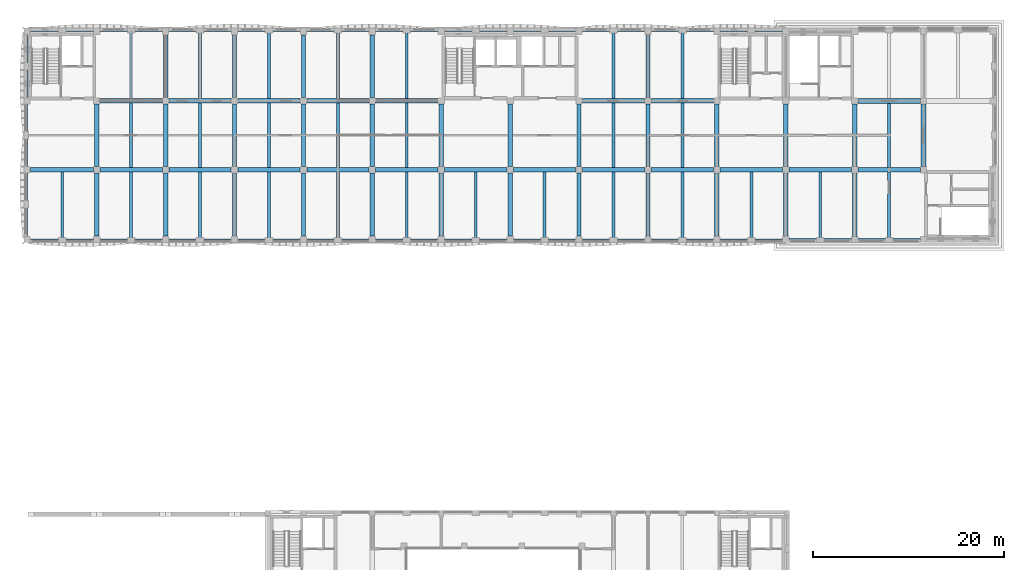
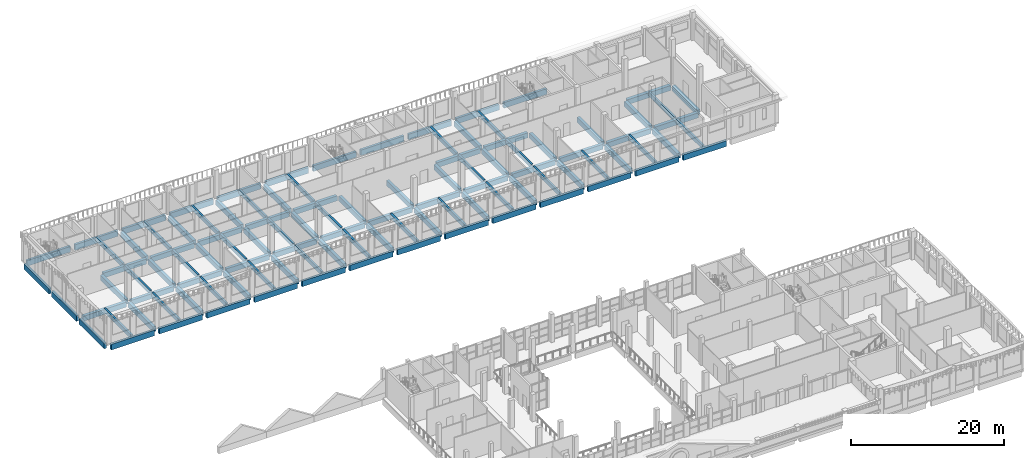
# One storey, part 14 of 58: 106 beams.
"""IFC4 building model written with IfcOpenShell, lengths in metres."""

from ifc_helpers import new_model, si_unit, direction, frame, origin, origin_2d, place, context, subcontext, project, spatial, rectangle, extrude, material, material_profile, profile_set, type_object, element, save


model = new_model("IFC4")

# Units and contexts
model_context = context("Model", 3, precision=1e-05, world=origin(), true_north=direction((0.0, 1.0)))
body_context = subcontext(model_context, "Body", "Model", "MODEL_VIEW")
ifc_project = project(units=[si_unit("LENGTHUNIT", "METRE"), si_unit("AREAUNIT", "SQUARE_METRE"), si_unit("VOLUMEUNIT", "CUBIC_METRE"), si_unit("PLANEANGLEUNIT", "RADIAN"), si_unit("MASSUNIT", "GRAM", prefix="KILO")], contexts=[model_context])

# Site, building, storey
site_placement = place(None, origin())
site = spatial("IfcSite", under=ifc_project, at=site_placement, CompositionType="ELEMENT")
building_placement = place(site_placement, origin())
building = spatial("IfcBuilding", under=site, at=building_placement, Name="Ussher Court Research Institute", CompositionType="ELEMENT")
storey_placement = place(building_placement, frame((0.0, 0.0, 9.89990234375)))
storey = spatial("IfcBuildingStorey", under=building, at=storey_placement, Name="L02", CompositionType="ELEMENT", Elevation=9.89990234375)

# Beams
ifc_material_1 = material(Name="Concrete C35/45", Category="concrete")
ifc_material_profile_1 = material_profile(ifc_material_1, rectangle(XDim=0.300048828125, YDim=0.64990234375, at=origin_2d()), Name="RC 300x650")
ifc_profile_set_1 = profile_set([ifc_material_profile_1], Name="Concrete C35/45")
beam_type_1 = type_object("IfcBeamType", Name="RC 300x650 beam", PredefinedType="BEAM", material=ifc_profile_set_1)
for number, where, z_axis, x_axis, name in (
    (1, (6.60009765625, 68.75, -0.324951171875), (0.0, 1.0, 0.0), (-1.0, 0.0, 0.0), "B4 V5 L02-01"),
    (2, (13.800048828125, 68.75, -0.324951171875), (0.0, 1.0, 0.0), (-1.0, 0.0, 0.0), "B4 V5 L02-02"),
):
    element("IfcBeam", number, at=place(storey_placement, frame(where, z_axis=z_axis, x_axis=x_axis)), inside=storey, type_object=beam_type_1, Name=name, PredefinedType="BEAM", context=body_context, shape_type="SweptSolid", body=[
        extrude(rectangle(XDim=0.300048828125, YDim=0.64990234375, at=origin_2d()), origin(), (0.0, 0.0, 1.0), 7.02490234375),
    ])
beam_1_placement = place(storey_placement, frame((13.800048828125, 76.22509765625, -0.324951171875), z_axis=(0.0, 1.0, 0.0), x_axis=(-1.0, 0.0, 0.0)))
element("IfcBeam", 3, at=beam_1_placement, inside=storey, type_object=beam_type_1, Name="B4 V5 L02-03", PredefinedType="BEAM", context=body_context, shape_type="SweptSolid", body=[
    extrude(rectangle(XDim=0.300048828125, YDim=0.64990234375, at=origin_2d()), origin(), (0.0, 0.0, 1.0), 6.75),
])
for number, where, z_axis, x_axis, name in (
    (4, (13.800048828125, 83.425048828125, -0.324951171875), (0.0, 1.0, 0.0), (-1.0, 0.0, 0.0), "B4 V5 L02-04"),
    (5, (21.0, 68.75, -0.324951171875), (0.0, 1.0, 0.0), (-1.0, 0.0, 0.0), "B4 V5 L02-05"),
):
    element("IfcBeam", number, at=place(storey_placement, frame(where, z_axis=z_axis, x_axis=x_axis)), inside=storey, type_object=beam_type_1, Name=name, PredefinedType="BEAM", context=body_context, shape_type="SweptSolid", body=[
        extrude(rectangle(XDim=0.300048828125, YDim=0.64990234375, at=origin_2d()), origin(), (0.0, 0.0, 1.0), 7.02490234375),
    ])
beam_2_placement = place(storey_placement, frame((21.0, 76.22509765625, -0.324951171875), z_axis=(0.0, 1.0, 0.0), x_axis=(-1.0, 0.0, 0.0)))
element("IfcBeam", 6, at=beam_2_placement, inside=storey, type_object=beam_type_1, Name="B4 V5 L02-06", PredefinedType="BEAM", context=body_context, shape_type="SweptSolid", body=[
    extrude(rectangle(XDim=0.300048828125, YDim=0.64990234375, at=origin_2d()), origin(), (0.0, 0.0, 1.0), 6.75),
])
for number, where, z_axis, x_axis, name in (
    (7, (21.0, 83.425048828125, -0.324951171875), (0.0, 1.0, 0.0), (-1.0, 0.0, 0.0), "B4 V5 L02-07"),
    (8, (28.199951171875, 68.75, -0.324951171875), (0.0, 1.0, 0.0), (-1.0, 0.0, 0.0), "B4 V5 L02-08"),
):
    element("IfcBeam", number, at=place(storey_placement, frame(where, z_axis=z_axis, x_axis=x_axis)), inside=storey, type_object=beam_type_1, Name=name, PredefinedType="BEAM", context=body_context, shape_type="SweptSolid", body=[
        extrude(rectangle(XDim=0.300048828125, YDim=0.64990234375, at=origin_2d()), origin(), (0.0, 0.0, 1.0), 7.02490234375),
    ])
beam_3_placement = place(storey_placement, frame((28.199951171875, 76.22509765625, -0.324951171875), z_axis=(0.0, 1.0, 0.0), x_axis=(-1.0, 0.0, 0.0)))
element("IfcBeam", 9, at=beam_3_placement, inside=storey, type_object=beam_type_1, Name="B4 V5 L02-09", PredefinedType="BEAM", context=body_context, shape_type="SweptSolid", body=[
    extrude(rectangle(XDim=0.300048828125, YDim=0.64990234375, at=origin_2d()), origin(), (0.0, 0.0, 1.0), 6.75),
])
for number, where, z_axis, x_axis, name in (
    (10, (28.199951171875, 83.425048828125, -0.324951171875), (0.0, 1.0, 0.0), (-1.0, 0.0, 0.0), "B4 V5 L02-10"),
    (11, (35.39990234375, 68.75, -0.324951171875), (0.0, 1.0, 0.0), (-1.0, 0.0, 0.0), "B4 V5 L02-11"),
):
    element("IfcBeam", number, at=place(storey_placement, frame(where, z_axis=z_axis, x_axis=x_axis)), inside=storey, type_object=beam_type_1, Name=name, PredefinedType="BEAM", context=body_context, shape_type="SweptSolid", body=[
        extrude(rectangle(XDim=0.300048828125, YDim=0.64990234375, at=origin_2d()), origin(), (0.0, 0.0, 1.0), 7.02490234375),
    ])
beam_4_placement = place(storey_placement, frame((35.39990234375, 76.22509765625, -0.324951171875), z_axis=(0.0, 1.0, 0.0), x_axis=(-1.0, 0.0, 0.0)))
element("IfcBeam", 12, at=beam_4_placement, inside=storey, type_object=beam_type_1, Name="B4 V5 L02-12", PredefinedType="BEAM", context=body_context, shape_type="SweptSolid", body=[
    extrude(rectangle(XDim=0.300048828125, YDim=0.64990234375, at=origin_2d()), origin(), (0.0, 0.0, 1.0), 6.75),
])
for number, where, z_axis, x_axis, name in (
    (13, (35.39990234375, 83.425048828125, -0.324951171875), (0.0, 1.0, 0.0), (-1.0, 0.0, 0.0), "B4 V5 L02-13"),
    (14, (42.60009765625, 68.75, -0.324951171875), (0.0, 1.0, 0.0), (-1.0, 0.0, 0.0), "B4 V5 L02-14"),
):
    element("IfcBeam", number, at=place(storey_placement, frame(where, z_axis=z_axis, x_axis=x_axis)), inside=storey, type_object=beam_type_1, Name=name, PredefinedType="BEAM", context=body_context, shape_type="SweptSolid", body=[
        extrude(rectangle(XDim=0.300048828125, YDim=0.64990234375, at=origin_2d()), origin(), (0.0, 0.0, 1.0), 7.02490234375),
    ])
beam_5_placement = place(storey_placement, frame((42.60009765625, 76.22509765625, -0.324951171875), z_axis=(0.0, 1.0, 0.0), x_axis=(-1.0, 0.0, 0.0)))
element("IfcBeam", 15, at=beam_5_placement, inside=storey, type_object=beam_type_1, Name="B4 V5 L02-15", PredefinedType="BEAM", context=body_context, shape_type="SweptSolid", body=[
    extrude(rectangle(XDim=0.300048828125, YDim=0.64990234375, at=origin_2d()), origin(), (0.0, 0.0, 1.0), 6.75),
])
for number, where, z_axis, x_axis, name in (
    (16, (42.60009765625, 83.425048828125, -0.324951171875), (0.0, 1.0, 0.0), (-1.0, 0.0, 0.0), "B4 V5 L02-16"),
    (17, (49.800048828125, 68.75, -0.324951171875), (0.0, 1.0, 0.0), (-1.0, 0.0, 0.0), "B4 V5 L02-17"),
    (18, (57.0, 68.75, -0.324951171875), (0.0, 1.0, 0.0), (-1.0, 0.0, 0.0), "B4 V5 L02-18"),
    (19, (64.199951171875, 68.75, -0.324951171875), (0.0, 1.0, 0.0), (-1.0, 0.0, 0.0), "B4 V5 L02-19"),
):
    element("IfcBeam", number, at=place(storey_placement, frame(where, z_axis=z_axis, x_axis=x_axis)), inside=storey, type_object=beam_type_1, Name=name, PredefinedType="BEAM", context=body_context, shape_type="SweptSolid", body=[
        extrude(rectangle(XDim=0.300048828125, YDim=0.64990234375, at=origin_2d()), origin(), (0.0, 0.0, 1.0), 7.02490234375),
    ])
beam_6_placement = place(storey_placement, frame((64.199951171875, 76.22509765625, -0.324951171875), z_axis=(0.0, 1.0, 0.0), x_axis=(-1.0, 0.0, 0.0)))
element("IfcBeam", 20, at=beam_6_placement, inside=storey, type_object=beam_type_1, Name="B4 V5 L02-20", PredefinedType="BEAM", context=body_context, shape_type="SweptSolid", body=[
    extrude(rectangle(XDim=0.300048828125, YDim=0.64990234375, at=origin_2d()), origin(), (0.0, 0.0, 1.0), 6.75),
])
for number, where, z_axis, x_axis, name in (
    (21, (64.199951171875, 83.425048828125, -0.324951171875), (0.0, 1.0, 0.0), (-1.0, 0.0, 0.0), "B4 V5 L02-21"),
    (22, (71.39990234375, 68.75, -0.324951171875), (0.0, 1.0, 0.0), (-1.0, 0.0, 0.0), "B4 V5 L02-22"),
):
    element("IfcBeam", number, at=place(storey_placement, frame(where, z_axis=z_axis, x_axis=x_axis)), inside=storey, type_object=beam_type_1, Name=name, PredefinedType="BEAM", context=body_context, shape_type="SweptSolid", body=[
        extrude(rectangle(XDim=0.300048828125, YDim=0.64990234375, at=origin_2d()), origin(), (0.0, 0.0, 1.0), 7.02490234375),
    ])
beam_7_placement = place(storey_placement, frame((71.39990234375, 76.22509765625, -0.324951171875), z_axis=(0.0, 1.0, 0.0), x_axis=(-1.0, 0.0, 0.0)))
element("IfcBeam", 23, at=beam_7_placement, inside=storey, type_object=beam_type_1, Name="B4 V5 L02-23", PredefinedType="BEAM", context=body_context, shape_type="SweptSolid", body=[
    extrude(rectangle(XDim=0.300048828125, YDim=0.64990234375, at=origin_2d()), origin(), (0.0, 0.0, 1.0), 6.75),
])
for number, where, z_axis, x_axis, name in (
    (24, (71.39990234375, 83.425048828125, -0.324951171875), (0.0, 1.0, 0.0), (-1.0, 0.0, 0.0), "B4 V5 L02-24"),
    (25, (78.60009765625, 68.75, -0.324951171875), (0.0, 1.0, 0.0), (-1.0, 0.0, 0.0), "B4 V5 L02-25"),
):
    element("IfcBeam", number, at=place(storey_placement, frame(where, z_axis=z_axis, x_axis=x_axis)), inside=storey, type_object=beam_type_1, Name=name, PredefinedType="BEAM", context=body_context, shape_type="SweptSolid", body=[
        extrude(rectangle(XDim=0.300048828125, YDim=0.64990234375, at=origin_2d()), origin(), (0.0, 0.0, 1.0), 7.02490234375),
    ])
for number, where, z_axis, x_axis, name in (
    (26, (85.800048828125, 68.800048828125, -0.324951171875), (0.0, 1.0, 0.0), (-1.0, 0.0, 0.0), "B4 V3 L02-01"),
    (27, (93.0, 68.800048828125, -0.324951171875), (0.0, 1.0, 0.0), (-1.0, 0.0, 0.0), "B4 V3 L02-02"),
):
    element("IfcBeam", number, at=place(storey_placement, frame(where, z_axis=z_axis, x_axis=x_axis)), inside=storey, type_object=beam_type_1, Name=name, PredefinedType="BEAM", context=body_context, shape_type="SweptSolid", body=[
        extrude(rectangle(XDim=0.300048828125, YDim=0.64990234375, at=origin_2d()), origin(), (0.0, 0.0, 1.0), 6.949951171875),
    ])
beam_8_placement = place(storey_placement, frame((93.0, 76.25, -0.324951171875), z_axis=(0.0, 1.0, 0.0), x_axis=(-1.0, 0.0, 0.0)))
element("IfcBeam", 28, at=beam_8_placement, inside=storey, type_object=beam_type_1, Name="B4 V3 L02-03", PredefinedType="BEAM", context=body_context, shape_type="SweptSolid", body=[
    extrude(rectangle(XDim=0.300048828125, YDim=0.64990234375, at=origin_2d()), origin(), (0.0, 0.0, 1.0), 6.699951171875),
])
ifc_material_2 = material(Name="Concrete C35/45", Category="concrete")
ifc_material_profile_2 = material_profile(ifc_material_2, rectangle(XDim=0.35009765625, YDim=0.89990234375, at=origin_2d()), Name="RC 350x900")
ifc_profile_set_2 = profile_set([ifc_material_profile_2], Name="Concrete C35/45")
beam_type_2 = type_object("IfcBeamType", Name="RC 350x900 beam", PredefinedType="BEAM", material=ifc_profile_set_2)
beam_9_placement = place(storey_placement, frame((3.300048828125, 68.574951171875, -0.64990234375), z_axis=(1.0, 0.0, 0.0), x_axis=(0.0, 1.0, 0.0)))
element("IfcBeam", 29, at=beam_9_placement, inside=storey, type_object=beam_type_2, Name="SB1 V5 L02-01", PredefinedType="BEAM", context=body_context, shape_type="SweptSolid", body=[
    extrude(rectangle(XDim=0.35009765625, YDim=0.89990234375, at=origin_2d()), origin(), (0.0, 0.0, 1.0), 6.550048828125),
])
for number, where, z_axis, x_axis, name in (
    (30, (10.550048828125, 68.574951171875, -0.64990234375), (1.0, 0.0, 0.0), (0.0, 1.0, 0.0), "SB1 V5 L02-02"),
    (31, (17.75, 68.574951171875, -0.64990234375), (1.0, 0.0, 0.0), (0.0, 1.0, 0.0), "SB1 V5 L02-03"),
    (32, (24.949951171875, 68.574951171875, -0.64990234375), (1.0, 0.0, 0.0), (0.0, 1.0, 0.0), "SB1 V5 L02-04"),
    (33, (32.14990234375, 68.574951171875, -0.64990234375), (1.0, 0.0, 0.0), (0.0, 1.0, 0.0), "SB1 V5 L02-05"),
    (34, (39.35009765625, 68.574951171875, -0.64990234375), (1.0, 0.0, 0.0), (0.0, 1.0, 0.0), "SB1 V5 L02-06"),
    (35, (46.550048828125, 68.574951171875, -0.64990234375), (1.0, 0.0, 0.0), (0.0, 1.0, 0.0), "SB1 V5 L02-07"),
    (36, (53.75, 68.574951171875, -0.64990234375), (1.0, 0.0, 0.0), (0.0, 1.0, 0.0), "SB1 V5 L02-08"),
    (37, (60.949951171875, 68.574951171875, -0.64990234375), (1.0, 0.0, 0.0), (0.0, 1.0, 0.0), "SB1 V5 L02-09"),
    (38, (68.14990234375, 68.574951171875, -0.64990234375), (1.0, 0.0, 0.0), (0.0, 1.0, 0.0), "SB1 V5 L02-10"),
    (39, (75.35009765625, 68.574951171875, -0.64990234375), (1.0, 0.0, 0.0), (0.0, 1.0, 0.0), "SB1 V5 L02-11"),
):
    element("IfcBeam", number, at=place(storey_placement, frame(where, z_axis=z_axis, x_axis=x_axis)), inside=storey, type_object=beam_type_2, Name=name, PredefinedType="BEAM", context=body_context, shape_type="SweptSolid", body=[
        extrude(rectangle(XDim=0.35009765625, YDim=0.89990234375, at=origin_2d()), origin(), (0.0, 0.0, 1.0), 6.5),
    ])
beam_10_placement = place(storey_placement, frame((3.300048828125, 90.625, -0.64990234375), z_axis=(1.0, 0.0, 0.0), x_axis=(0.0, 1.0, 0.0)))
element("IfcBeam", 40, at=beam_10_placement, inside=storey, type_object=beam_type_2, Name="SB1 V5 L02-12", PredefinedType="BEAM", context=body_context, shape_type="SweptSolid", body=[
    extrude(rectangle(XDim=0.35009765625, YDim=0.89990234375, at=origin_2d()), origin(), (0.0, 0.0, 1.0), 6.550048828125),
])
for number, where, z_axis, x_axis, name in (
    (41, (10.550048828125, 90.625, -0.64990234375), (1.0, 0.0, 0.0), (0.0, 1.0, 0.0), "SB1 V5 L02-13"),
    (42, (17.75, 90.625, -0.64990234375), (1.0, 0.0, 0.0), (0.0, 1.0, 0.0), "SB1 V5 L02-14"),
    (43, (24.949951171875, 90.625, -0.64990234375), (1.0, 0.0, 0.0), (0.0, 1.0, 0.0), "SB1 V5 L02-15"),
    (44, (32.14990234375, 90.625, -0.64990234375), (1.0, 0.0, 0.0), (0.0, 1.0, 0.0), "SB1 V5 L02-16"),
    (45, (39.35009765625, 90.625, -0.64990234375), (1.0, 0.0, 0.0), (0.0, 1.0, 0.0), "SB1 V5 L02-17"),
    (46, (46.550048828125, 90.625, -0.64990234375), (1.0, 0.0, 0.0), (0.0, 1.0, 0.0), "SB1 V5 L02-18"),
    (47, (53.75, 90.625, -0.64990234375), (1.0, 0.0, 0.0), (0.0, 1.0, 0.0), "SB1 V5 L02-19"),
    (48, (60.949951171875, 90.625, -0.64990234375), (1.0, 0.0, 0.0), (0.0, 1.0, 0.0), "SB1 V5 L02-20"),
    (49, (68.14990234375, 90.625, -0.64990234375), (1.0, 0.0, 0.0), (0.0, 1.0, 0.0), "SB1 V5 L02-21"),
    (50, (75.35009765625, 90.625, -0.64990234375), (1.0, 0.0, 0.0), (0.0, 1.0, 0.0), "SB1 V5 L02-22"),
):
    element("IfcBeam", number, at=place(storey_placement, frame(where, z_axis=z_axis, x_axis=x_axis)), inside=storey, type_object=beam_type_2, Name=name, PredefinedType="BEAM", context=body_context, shape_type="SweptSolid", body=[
        extrude(rectangle(XDim=0.35009765625, YDim=0.89990234375, at=origin_2d()), origin(), (0.0, 0.0, 1.0), 6.5),
    ])
beam_11_placement = place(storey_placement, frame((2.77490234375, 69.10009765625, -0.64990234375), z_axis=(0.0, 1.0, 0.0), x_axis=(-1.0, 0.0, 0.0)))
element("IfcBeam", 51, at=beam_11_placement, inside=storey, type_object=beam_type_2, Name="SB1 V5 L02-23", PredefinedType="BEAM", context=body_context, shape_type="SweptSolid", body=[
    extrude(rectangle(XDim=0.35009765625, YDim=0.89990234375, at=origin_2d()), origin(), (0.0, 0.0, 1.0), 6.5498046875),
])
beam_12_placement = place(storey_placement, frame((2.77490234375, 76.35009765625, -0.64990234375), z_axis=(0.0, 1.0, 0.0), x_axis=(-1.0, 0.0, 0.0)))
element("IfcBeam", 52, at=beam_12_placement, inside=storey, type_object=beam_type_2, Name="SB1 V5 L02-24", PredefinedType="BEAM", context=body_context, shape_type="SweptSolid", body=[
    extrude(rectangle(XDim=0.35009765625, YDim=0.89990234375, at=origin_2d()), origin(), (0.0, 0.0, 1.0), 6.5),
])
beam_13_placement = place(storey_placement, frame((2.77490234375, 83.550048828125, -0.64990234375), z_axis=(0.0, 1.0, 0.0), x_axis=(-1.0, 0.0, 0.0)))
element("IfcBeam", 53, at=beam_13_placement, inside=storey, type_object=beam_type_2, Name="SB1 V5 L02-25", PredefinedType="BEAM", context=body_context, shape_type="SweptSolid", body=[
    extrude(rectangle(XDim=0.35009765625, YDim=0.89990234375, at=origin_2d()), origin(), (0.0, 0.0, 1.0), 6.550048828125),
])
ifc_material_3 = material(Name="Concrete C35/45", Category="concrete")
ifc_material_profile_3 = material_profile(ifc_material_3, rectangle(XDim=0.39990234375, YDim=0.89990234375, at=origin_2d()), Name="RC 400x900")
ifc_profile_set_3 = profile_set([ifc_material_profile_3], Name="Concrete C35/45")
beam_type_3 = type_object("IfcBeamType", Name="RC 400x900 beam", PredefinedType="BEAM", material=ifc_profile_set_3)
beam_14_placement = place(storey_placement, frame((82.550048828125, 68.60009765625, -0.64990234375), z_axis=(1.0, 0.0, 0.0), x_axis=(0.0, 1.0, 0.0)))
element("IfcBeam", 54, at=beam_14_placement, inside=storey, type_object=beam_type_3, Name="B8 V3 L02-01", PredefinedType="BEAM", context=body_context, shape_type="SweptSolid", body=[
    extrude(rectangle(XDim=0.39990234375, YDim=0.89990234375, at=origin_2d()), origin(), (0.0, 0.0, 1.0), 6.52490234375),
])
beam_15_placement = place(storey_placement, frame((89.72509765625, 68.60009765625, -0.64990234375), z_axis=(1.0, 0.0, 0.0), x_axis=(0.0, 1.0, 0.0)))
element("IfcBeam", 55, at=beam_15_placement, inside=storey, type_object=beam_type_3, Name="B8 V3 L02-02", PredefinedType="BEAM", context=body_context, shape_type="SweptSolid", body=[
    extrude(rectangle(XDim=0.39990234375, YDim=0.89990234375, at=origin_2d()), origin(), (0.0, 0.0, 1.0), 6.5498046875),
])
ifc_material_4 = material(Name="Concrete C35/45", Category="concrete")
ifc_material_profile_4 = material_profile(ifc_material_4, rectangle(XDim=0.449951171875, YDim=0.800048828125, at=origin_2d()), Name="RC 450x800")
ifc_profile_set_4 = profile_set([ifc_material_profile_4], Name="Concrete C35/45")
beam_type_4 = type_object("IfcBeamType", Name="RC 450x800 beam", PredefinedType="BEAM", material=ifc_profile_set_4)
beam_16_placement = place(storey_placement, frame((3.300048828125, 76.0, -0.599853515625), z_axis=(1.0, 0.0, 0.0), x_axis=(0.0, 1.0, 0.0)))
element("IfcBeam", 56, at=beam_16_placement, inside=storey, type_object=beam_type_4, Name="B11 V5 L02-01", PredefinedType="BEAM", context=body_context, shape_type="SweptSolid", body=[
    extrude(rectangle(XDim=0.449951171875, YDim=0.800048828125, at=origin_2d()), origin(), (0.0, 0.0, 1.0), 6.550048828125),
])
for number, where, z_axis, x_axis, name in (
    (57, (10.550048828125, 76.0, -0.599853515625), (1.0, 0.0, 0.0), (0.0, 1.0, 0.0), "B11 V5 L02-02"),
    (58, (17.75, 76.0, -0.599853515625), (1.0, 0.0, 0.0), (0.0, 1.0, 0.0), "B11 V5 L02-03"),
    (59, (24.949951171875, 76.0, -0.599853515625), (1.0, 0.0, 0.0), (0.0, 1.0, 0.0), "B11 V5 L02-04"),
    (60, (32.14990234375, 76.0, -0.599853515625), (1.0, 0.0, 0.0), (0.0, 1.0, 0.0), "B11 V5 L02-05"),
    (61, (39.35009765625, 76.0, -0.599853515625), (1.0, 0.0, 0.0), (0.0, 1.0, 0.0), "B11 V5 L02-06"),
    (62, (46.550048828125, 76.0, -0.599853515625), (1.0, 0.0, 0.0), (0.0, 1.0, 0.0), "B11 V5 L02-07"),
    (63, (53.75, 76.0, -0.599853515625), (1.0, 0.0, 0.0), (0.0, 1.0, 0.0), "B11 V5 L02-08"),
    (64, (60.949951171875, 76.0, -0.599853515625), (1.0, 0.0, 0.0), (0.0, 1.0, 0.0), "B11 V5 L02-09"),
    (65, (68.14990234375, 76.0, -0.599853515625), (1.0, 0.0, 0.0), (0.0, 1.0, 0.0), "B11 V5 L02-10"),
    (66, (75.35009765625, 76.0, -0.599853515625), (1.0, 0.0, 0.0), (0.0, 1.0, 0.0), "B11 V5 L02-11"),
    (67, (10.550048828125, 83.199951171875, -0.599853515625), (1.0, 0.0, 0.0), (0.0, 1.0, 0.0), "B11 V5 L02-12"),
    (68, (17.75, 83.199951171875, -0.599853515625), (1.0, 0.0, 0.0), (0.0, 1.0, 0.0), "B11 V5 L02-13"),
    (69, (24.949951171875, 83.199951171875, -0.599853515625), (1.0, 0.0, 0.0), (0.0, 1.0, 0.0), "B11 V5 L02-14"),
    (70, (32.14990234375, 83.199951171875, -0.599853515625), (1.0, 0.0, 0.0), (0.0, 1.0, 0.0), "B11 V5 L02-15"),
    (71, (39.35009765625, 83.199951171875, -0.599853515625), (1.0, 0.0, 0.0), (0.0, 1.0, 0.0), "B11 V5 L02-16"),
    (72, (60.949951171875, 83.199951171875, -0.599853515625), (1.0, 0.0, 0.0), (0.0, 1.0, 0.0), "B11 V5 L02-17"),
    (73, (68.14990234375, 83.199951171875, -0.599853515625), (1.0, 0.0, 0.0), (0.0, 1.0, 0.0), "B11 V5 L02-18"),
):
    element("IfcBeam", number, at=place(storey_placement, frame(where, z_axis=z_axis, x_axis=x_axis)), inside=storey, type_object=beam_type_4, Name=name, PredefinedType="BEAM", context=body_context, shape_type="SweptSolid", body=[
        extrude(rectangle(XDim=0.449951171875, YDim=0.800048828125, at=origin_2d()), origin(), (0.0, 0.0, 1.0), 6.5),
    ])
beam_17_placement = place(storey_placement, frame((10.199951171875, 69.10009765625, -0.599853515625), z_axis=(0.0, 1.0, 0.0), x_axis=(-1.0, 0.0, 0.0)))
element("IfcBeam", 74, at=beam_17_placement, inside=storey, type_object=beam_type_4, Name="B11 V5 L02-19", PredefinedType="BEAM", context=body_context, shape_type="SweptSolid", body=[
    extrude(rectangle(XDim=0.449951171875, YDim=0.800048828125, at=origin_2d()), origin(), (0.0, 0.0, 1.0), 6.5498046875),
])
beam_18_placement = place(storey_placement, frame((10.199951171875, 76.35009765625, -0.599853515625), z_axis=(0.0, 1.0, 0.0), x_axis=(-1.0, 0.0, 0.0)))
element("IfcBeam", 75, at=beam_18_placement, inside=storey, type_object=beam_type_4, Name="B11 V5 L02-20", PredefinedType="BEAM", context=body_context, shape_type="SweptSolid", body=[
    extrude(rectangle(XDim=0.449951171875, YDim=0.800048828125, at=origin_2d()), origin(), (0.0, 0.0, 1.0), 6.5),
])
beam_19_placement = place(storey_placement, frame((17.39990234375, 69.10009765625, -0.599853515625), z_axis=(0.0, 1.0, 0.0), x_axis=(-1.0, 0.0, 0.0)))
element("IfcBeam", 76, at=beam_19_placement, inside=storey, type_object=beam_type_4, Name="B11 V5 L02-21", PredefinedType="BEAM", context=body_context, shape_type="SweptSolid", body=[
    extrude(rectangle(XDim=0.449951171875, YDim=0.800048828125, at=origin_2d()), origin(), (0.0, 0.0, 1.0), 6.5498046875),
])
beam_20_placement = place(storey_placement, frame((17.39990234375, 76.35009765625, -0.599853515625), z_axis=(0.0, 1.0, 0.0), x_axis=(-1.0, 0.0, 0.0)))
element("IfcBeam", 77, at=beam_20_placement, inside=storey, type_object=beam_type_4, Name="B11 V5 L02-22", PredefinedType="BEAM", context=body_context, shape_type="SweptSolid", body=[
    extrude(rectangle(XDim=0.449951171875, YDim=0.800048828125, at=origin_2d()), origin(), (0.0, 0.0, 1.0), 6.5),
])
beam_21_placement = place(storey_placement, frame((17.39990234375, 83.550048828125, -0.599853515625), z_axis=(0.0, 1.0, 0.0), x_axis=(-1.0, 0.0, 0.0)))
element("IfcBeam", 78, at=beam_21_placement, inside=storey, type_object=beam_type_4, Name="B11 V5 L02-23", PredefinedType="BEAM", context=body_context, shape_type="SweptSolid", body=[
    extrude(rectangle(XDim=0.449951171875, YDim=0.800048828125, at=origin_2d()), origin(), (0.0, 0.0, 1.0), 6.550048828125),
])
beam_22_placement = place(storey_placement, frame((24.60009765625, 69.10009765625, -0.599853515625), z_axis=(0.0, 1.0, 0.0), x_axis=(-1.0, 0.0, 0.0)))
element("IfcBeam", 79, at=beam_22_placement, inside=storey, type_object=beam_type_4, Name="B11 V5 L02-24", PredefinedType="BEAM", context=body_context, shape_type="SweptSolid", body=[
    extrude(rectangle(XDim=0.449951171875, YDim=0.800048828125, at=origin_2d()), origin(), (0.0, 0.0, 1.0), 6.5498046875),
])
beam_23_placement = place(storey_placement, frame((24.60009765625, 76.35009765625, -0.599853515625), z_axis=(0.0, 1.0, 0.0), x_axis=(-1.0, 0.0, 0.0)))
element("IfcBeam", 80, at=beam_23_placement, inside=storey, type_object=beam_type_4, Name="B11 V5 L02-25", PredefinedType="BEAM", context=body_context, shape_type="SweptSolid", body=[
    extrude(rectangle(XDim=0.449951171875, YDim=0.800048828125, at=origin_2d()), origin(), (0.0, 0.0, 1.0), 6.5),
])
beam_24_placement = place(storey_placement, frame((24.60009765625, 83.550048828125, -0.599853515625), z_axis=(0.0, 1.0, 0.0), x_axis=(-1.0, 0.0, 0.0)))
element("IfcBeam", 81, at=beam_24_placement, inside=storey, type_object=beam_type_4, Name="B11 V5 L02-26", PredefinedType="BEAM", context=body_context, shape_type="SweptSolid", body=[
    extrude(rectangle(XDim=0.449951171875, YDim=0.800048828125, at=origin_2d()), origin(), (0.0, 0.0, 1.0), 6.550048828125),
])
beam_25_placement = place(storey_placement, frame((31.800048828125, 69.10009765625, -0.599853515625), z_axis=(0.0, 1.0, 0.0), x_axis=(-1.0, 0.0, 0.0)))
element("IfcBeam", 82, at=beam_25_placement, inside=storey, type_object=beam_type_4, Name="B11 V5 L02-27", PredefinedType="BEAM", context=body_context, shape_type="SweptSolid", body=[
    extrude(rectangle(XDim=0.449951171875, YDim=0.800048828125, at=origin_2d()), origin(), (0.0, 0.0, 1.0), 6.5498046875),
])
beam_26_placement = place(storey_placement, frame((31.800048828125, 76.35009765625, -0.599853515625), z_axis=(0.0, 1.0, 0.0), x_axis=(-1.0, 0.0, 0.0)))
element("IfcBeam", 83, at=beam_26_placement, inside=storey, type_object=beam_type_4, Name="B11 V5 L02-28", PredefinedType="BEAM", context=body_context, shape_type="SweptSolid", body=[
    extrude(rectangle(XDim=0.449951171875, YDim=0.800048828125, at=origin_2d()), origin(), (0.0, 0.0, 1.0), 6.5),
])
beam_27_placement = place(storey_placement, frame((31.800048828125, 83.550048828125, -0.599853515625), z_axis=(0.0, 1.0, 0.0), x_axis=(-1.0, 0.0, 0.0)))
element("IfcBeam", 84, at=beam_27_placement, inside=storey, type_object=beam_type_4, Name="B11 V5 L02-29", PredefinedType="BEAM", context=body_context, shape_type="SweptSolid", body=[
    extrude(rectangle(XDim=0.449951171875, YDim=0.800048828125, at=origin_2d()), origin(), (0.0, 0.0, 1.0), 6.550048828125),
])
beam_28_placement = place(storey_placement, frame((39.0, 69.10009765625, -0.599853515625), z_axis=(0.0, 1.0, 0.0), x_axis=(-1.0, 0.0, 0.0)))
element("IfcBeam", 85, at=beam_28_placement, inside=storey, type_object=beam_type_4, Name="B11 V5 L02-30", PredefinedType="BEAM", context=body_context, shape_type="SweptSolid", body=[
    extrude(rectangle(XDim=0.449951171875, YDim=0.800048828125, at=origin_2d()), origin(), (0.0, 0.0, 1.0), 6.5498046875),
])
beam_29_placement = place(storey_placement, frame((39.0, 76.35009765625, -0.599853515625), z_axis=(0.0, 1.0, 0.0), x_axis=(-1.0, 0.0, 0.0)))
element("IfcBeam", 86, at=beam_29_placement, inside=storey, type_object=beam_type_4, Name="B11 V5 L02-31", PredefinedType="BEAM", context=body_context, shape_type="SweptSolid", body=[
    extrude(rectangle(XDim=0.449951171875, YDim=0.800048828125, at=origin_2d()), origin(), (0.0, 0.0, 1.0), 6.5),
])
beam_30_placement = place(storey_placement, frame((39.0, 83.550048828125, -0.599853515625), z_axis=(0.0, 1.0, 0.0), x_axis=(-1.0, 0.0, 0.0)))
element("IfcBeam", 87, at=beam_30_placement, inside=storey, type_object=beam_type_4, Name="B11 V5 L02-32", PredefinedType="BEAM", context=body_context, shape_type="SweptSolid", body=[
    extrude(rectangle(XDim=0.449951171875, YDim=0.800048828125, at=origin_2d()), origin(), (0.0, 0.0, 1.0), 6.550048828125),
])
beam_31_placement = place(storey_placement, frame((46.199951171875, 69.10009765625, -0.599853515625), z_axis=(0.0, 1.0, 0.0), x_axis=(-1.0, 0.0, 0.0)))
element("IfcBeam", 88, at=beam_31_placement, inside=storey, type_object=beam_type_4, Name="B11 V5 L02-33", PredefinedType="BEAM", context=body_context, shape_type="SweptSolid", body=[
    extrude(rectangle(XDim=0.449951171875, YDim=0.800048828125, at=origin_2d()), origin(), (0.0, 0.0, 1.0), 6.5498046875),
])
beam_32_placement = place(storey_placement, frame((46.199951171875, 76.35009765625, -0.599853515625), z_axis=(0.0, 1.0, 0.0), x_axis=(-1.0, 0.0, 0.0)))
element("IfcBeam", 89, at=beam_32_placement, inside=storey, type_object=beam_type_4, Name="B11 V5 L02-34", PredefinedType="BEAM", context=body_context, shape_type="SweptSolid", body=[
    extrude(rectangle(XDim=0.449951171875, YDim=0.800048828125, at=origin_2d()), origin(), (0.0, 0.0, 1.0), 6.5),
])
beam_33_placement = place(storey_placement, frame((53.39990234375, 69.10009765625, -0.599853515625), z_axis=(0.0, 1.0, 0.0), x_axis=(-1.0, 0.0, 0.0)))
element("IfcBeam", 90, at=beam_33_placement, inside=storey, type_object=beam_type_4, Name="B11 V5 L02-35", PredefinedType="BEAM", context=body_context, shape_type="SweptSolid", body=[
    extrude(rectangle(XDim=0.449951171875, YDim=0.800048828125, at=origin_2d()), origin(), (0.0, 0.0, 1.0), 6.5498046875),
])
beam_34_placement = place(storey_placement, frame((53.39990234375, 76.35009765625, -0.599853515625), z_axis=(0.0, 1.0, 0.0), x_axis=(-1.0, 0.0, 0.0)))
element("IfcBeam", 91, at=beam_34_placement, inside=storey, type_object=beam_type_4, Name="B11 V5 L02-36", PredefinedType="BEAM", context=body_context, shape_type="SweptSolid", body=[
    extrude(rectangle(XDim=0.449951171875, YDim=0.800048828125, at=origin_2d()), origin(), (0.0, 0.0, 1.0), 6.5),
])
beam_35_placement = place(storey_placement, frame((60.60009765625, 69.10009765625, -0.599853515625), z_axis=(0.0, 1.0, 0.0), x_axis=(-1.0, 0.0, 0.0)))
element("IfcBeam", 92, at=beam_35_placement, inside=storey, type_object=beam_type_4, Name="B11 V5 L02-37", PredefinedType="BEAM", context=body_context, shape_type="SweptSolid", body=[
    extrude(rectangle(XDim=0.449951171875, YDim=0.800048828125, at=origin_2d()), origin(), (0.0, 0.0, 1.0), 6.5498046875),
])
beam_36_placement = place(storey_placement, frame((60.60009765625, 76.35009765625, -0.599853515625), z_axis=(0.0, 1.0, 0.0), x_axis=(-1.0, 0.0, 0.0)))
element("IfcBeam", 93, at=beam_36_placement, inside=storey, type_object=beam_type_4, Name="B11 V5 L02-38", PredefinedType="BEAM", context=body_context, shape_type="SweptSolid", body=[
    extrude(rectangle(XDim=0.449951171875, YDim=0.800048828125, at=origin_2d()), origin(), (0.0, 0.0, 1.0), 6.5),
])
beam_37_placement = place(storey_placement, frame((67.800048828125, 69.10009765625, -0.599853515625), z_axis=(0.0, 1.0, 0.0), x_axis=(-1.0, 0.0, 0.0)))
element("IfcBeam", 94, at=beam_37_placement, inside=storey, type_object=beam_type_4, Name="B11 V5 L02-39", PredefinedType="BEAM", context=body_context, shape_type="SweptSolid", body=[
    extrude(rectangle(XDim=0.449951171875, YDim=0.800048828125, at=origin_2d()), origin(), (0.0, 0.0, 1.0), 6.5498046875),
])
beam_38_placement = place(storey_placement, frame((67.800048828125, 76.35009765625, -0.599853515625), z_axis=(0.0, 1.0, 0.0), x_axis=(-1.0, 0.0, 0.0)))
element("IfcBeam", 95, at=beam_38_placement, inside=storey, type_object=beam_type_4, Name="B11 V5 L02-40", PredefinedType="BEAM", context=body_context, shape_type="SweptSolid", body=[
    extrude(rectangle(XDim=0.449951171875, YDim=0.800048828125, at=origin_2d()), origin(), (0.0, 0.0, 1.0), 6.5),
])
beam_39_placement = place(storey_placement, frame((67.800048828125, 83.550048828125, -0.599853515625), z_axis=(0.0, 1.0, 0.0), x_axis=(-1.0, 0.0, 0.0)))
element("IfcBeam", 96, at=beam_39_placement, inside=storey, type_object=beam_type_4, Name="B11 V5 L02-41", PredefinedType="BEAM", context=body_context, shape_type="SweptSolid", body=[
    extrude(rectangle(XDim=0.449951171875, YDim=0.800048828125, at=origin_2d()), origin(), (0.0, 0.0, 1.0), 6.550048828125),
])
beam_40_placement = place(storey_placement, frame((75.0, 69.10009765625, -0.599853515625), z_axis=(0.0, 1.0, 0.0), x_axis=(-1.0, 0.0, 0.0)))
element("IfcBeam", 97, at=beam_40_placement, inside=storey, type_object=beam_type_4, Name="B11 V5 L02-42", PredefinedType="BEAM", context=body_context, shape_type="SweptSolid", body=[
    extrude(rectangle(XDim=0.449951171875, YDim=0.800048828125, at=origin_2d()), origin(), (0.0, 0.0, 1.0), 6.5498046875),
])
beam_41_placement = place(storey_placement, frame((75.0, 76.35009765625, -0.599853515625), z_axis=(0.0, 1.0, 0.0), x_axis=(-1.0, 0.0, 0.0)))
element("IfcBeam", 98, at=beam_41_placement, inside=storey, type_object=beam_type_4, Name="B11 V5 L02-43", PredefinedType="BEAM", context=body_context, shape_type="SweptSolid", body=[
    extrude(rectangle(XDim=0.449951171875, YDim=0.800048828125, at=origin_2d()), origin(), (0.0, 0.0, 1.0), 6.5),
])
beam_42_placement = place(storey_placement, frame((82.199951171875, 69.10009765625, -0.599853515625), z_axis=(0.0, 1.0, 0.0), x_axis=(-1.0, 0.0, 0.0)))
element("IfcBeam", 99, at=beam_42_placement, inside=storey, type_object=beam_type_4, Name="B11 V5 L02-44", PredefinedType="BEAM", context=body_context, shape_type="SweptSolid", body=[
    extrude(rectangle(XDim=0.449951171875, YDim=0.800048828125, at=origin_2d()), origin(), (0.0, 0.0, 1.0), 6.5498046875),
])
beam_43_placement = place(storey_placement, frame((82.199951171875, 76.35009765625, -0.599853515625), z_axis=(0.0, 1.0, 0.0), x_axis=(-1.0, 0.0, 0.0)))
element("IfcBeam", 100, at=beam_43_placement, inside=storey, type_object=beam_type_4, Name="B11 V5 L02-45", PredefinedType="BEAM", context=body_context, shape_type="SweptSolid", body=[
    extrude(rectangle(XDim=0.449951171875, YDim=0.800048828125, at=origin_2d()), origin(), (0.0, 0.0, 1.0), 6.5),
])
ifc_material_5 = material(Name="Concrete C35/45", Category="concrete")
ifc_material_profile_5 = material_profile(ifc_material_5, rectangle(XDim=0.5, YDim=0.800048828125, at=origin_2d()), Name="RC 500x800")
ifc_profile_set_5 = profile_set([ifc_material_profile_5], Name="Concrete C35/45")
beam_type_5 = type_object("IfcBeamType", Name="RC 500x800 beam", PredefinedType="BEAM", material=ifc_profile_set_5)
beam_44_placement = place(storey_placement, frame((82.550048828125, 76.0, -0.599853515625), z_axis=(1.0, 0.0, 0.0), x_axis=(0.0, 1.0, 0.0)))
element("IfcBeam", 101, at=beam_44_placement, inside=storey, type_object=beam_type_5, Name="B20 V3 L02-01", PredefinedType="BEAM", context=body_context, shape_type="SweptSolid", body=[
    extrude(rectangle(XDim=0.5, YDim=0.800048828125, at=origin_2d()), origin(), (0.0, 0.0, 1.0), 6.52490234375),
])
for number, where, z_axis, x_axis, name in (
    (102, (89.72509765625, 76.0, -0.599853515625), (1.0, 0.0, 0.0), (0.0, 1.0, 0.0), "B20 V3 L02-02"),
    (103, (89.72509765625, 83.199951171875, -0.599853515625), (1.0, 0.0, 0.0), (0.0, 1.0, 0.0), "B20 V3 L02-03"),
):
    element("IfcBeam", number, at=place(storey_placement, frame(where, z_axis=z_axis, x_axis=x_axis)), inside=storey, type_object=beam_type_5, Name=name, PredefinedType="BEAM", context=body_context, shape_type="SweptSolid", body=[
        extrude(rectangle(XDim=0.5, YDim=0.800048828125, at=origin_2d()), origin(), (0.0, 0.0, 1.0), 6.5498046875),
    ])
beam_45_placement = place(storey_placement, frame((89.39990234375, 69.050048828125, -0.599853515625), z_axis=(0.0, 1.0, 0.0), x_axis=(-1.0, 0.0, 0.0)))
element("IfcBeam", 104, at=beam_45_placement, inside=storey, type_object=beam_type_5, Name="B20 V3 L02-05", PredefinedType="BEAM", context=body_context, shape_type="SweptSolid", body=[
    extrude(rectangle(XDim=0.5, YDim=0.800048828125, at=origin_2d()), origin(), (0.0, 0.0, 1.0), 6.625),
])
for number, where, z_axis, x_axis, name in (
    (105, (89.39990234375, 76.324951171875, -0.599853515625), (0.0, 1.0, 0.0), (-1.0, 0.0, 0.0), "B20 V3 L02-06"),
    (106, (96.60009765625, 76.324951171875, -0.599853515625), (0.0, 1.0, 0.0), (-1.0, 0.0, 0.0), "B20 V3 L02-07"),
):
    element("IfcBeam", number, at=place(storey_placement, frame(where, z_axis=z_axis, x_axis=x_axis)), inside=storey, type_object=beam_type_5, Name=name, PredefinedType="BEAM", context=body_context, shape_type="SweptSolid", body=[
        extrude(rectangle(XDim=0.5, YDim=0.800048828125, at=origin_2d()), origin(), (0.0, 0.0, 1.0), 6.550048828125),
    ])

save(model, "model.ifc")
